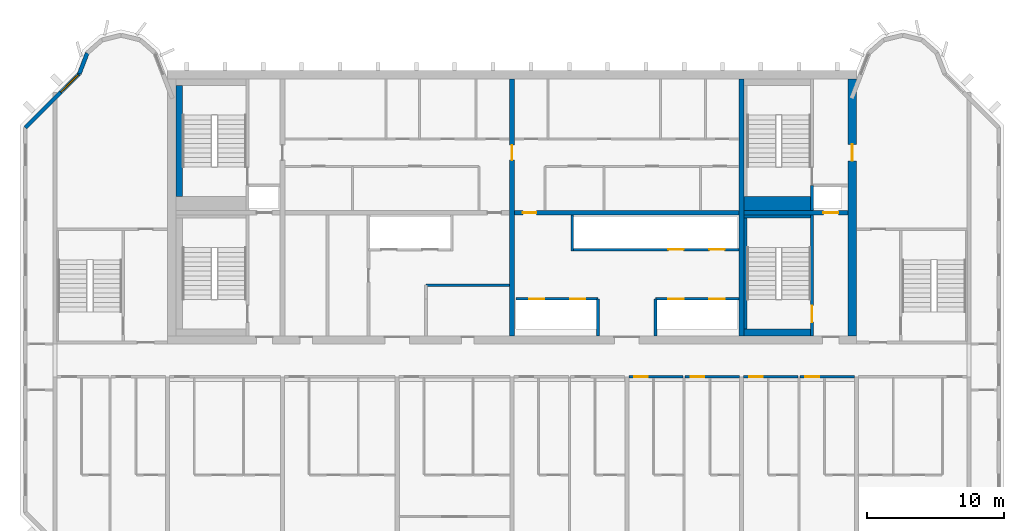
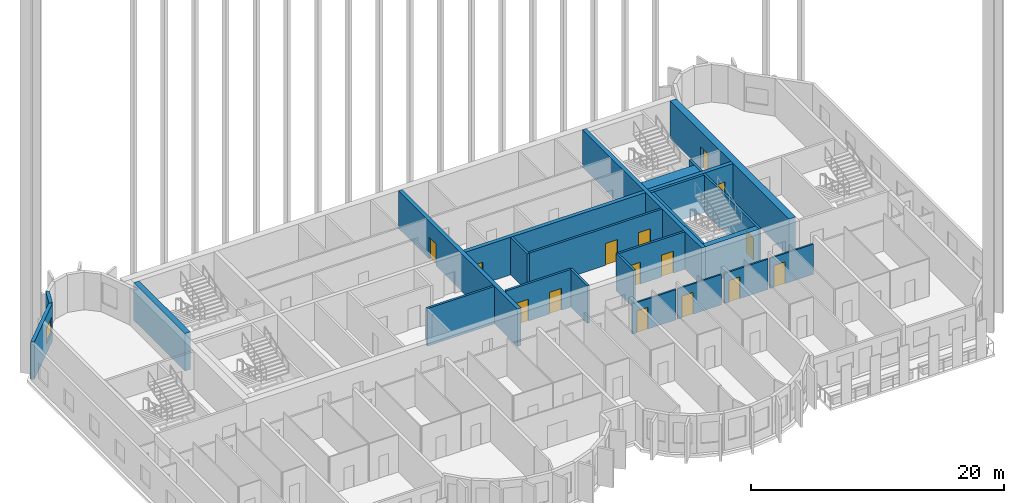
# One storey, part 6 of 13: 25 walls, 15 doors, 1 window, 16 openings.
"""IFC4 building model written with IfcOpenShell, lengths in metres."""

from ifc_helpers import new_model, si_unit, direction, frame, frame_2d, origin, place, context, subcontext, project, spatial, rectangle, extrude, source, transform, mapped, material, layer, layer_set, type_object, element, fill, save


model = new_model("IFC4")

# Units and contexts
model_context = context("Model", 3, precision=1e-05, world=origin(), true_north=direction((0.0, 1.0)))
body_context = subcontext(model_context, "Body", "Model", "MODEL_VIEW")
ifc_project = project(units=[si_unit("LENGTHUNIT", "METRE"), si_unit("AREAUNIT", "SQUARE_METRE"), si_unit("VOLUMEUNIT", "CUBIC_METRE"), si_unit("PLANEANGLEUNIT", "RADIAN"), si_unit("MASSUNIT", "GRAM", prefix="KILO")], contexts=[model_context])

# Site, building, storey
site_placement = place(None, origin())
site = spatial("IfcSite", under=ifc_project, at=site_placement, CompositionType="ELEMENT")
building_placement = place(site_placement, origin())
building = spatial("IfcBuilding", under=site, at=building_placement, Name="Vanashikhar Sky Hotel", CompositionType="ELEMENT")
storey_placement = place(building_placement, frame((0.0, 0.0, 214.0)))
storey = spatial("IfcBuildingStorey", under=building, at=storey_placement, Name="L51", CompositionType="ELEMENT", Elevation=214.0)

# Wall, opening, door
ifc_material_1 = material(Name="Concrete M60", Category="concrete")
ifc_layer_1 = layer(ifc_material_1, 0.60009765625)
ifc_layer_set_1 = layer_set([ifc_layer_1], Name="RC core shell wall 600 Concrete M60")
wall_type_1 = type_object("IfcWallType", Name="RC core shell wall 600 Concrete M60", PredefinedType="SHEAR", material=ifc_layer_set_1)
shared_shape_1 = source(origin(), body_context, "Body", "SweptSolid", [
    extrude(rectangle(XDim=18.7998046875, YDim=0.60009765625, at=frame_2d((9.39990234375, 0.0))), origin(), (0.0, 0.0, 1.0), 3.6201171875),
])
wall_1_placement = place(storey_placement, frame((75.300048828125, 22.60009765625, 0.0), z_axis=(0.0, 0.0, 1.0), x_axis=(0.0, 1.0, 0.0)))
wall_1 = element("IfcWall", 1, at=wall_1_placement, inside=storey, type_object=wall_type_1, Name="KW-L51-KE", PredefinedType="SHEAR", context=body_context, shape_type="MappedRepresentation", body=[
    mapped(shared_shape_1, transform((0.0, 0.0, 0.0), scale=1.0)),
])
shared_shape_2 = source(origin(), body_context, "Body", "SweptSolid", [
    extrude(rectangle(XDim=1.199951171875, YDim=2.10009765625, at=frame_2d((0.60009765625, 1.050048828125))), frame((0.0, 0.31005859375, 0.0), z_axis=(0.0, -1.0, 0.0), x_axis=(1.0, 0.0, 0.0)), (0.0, 0.0, 1.0), 0.6201171875),
])
opening_1_placement = place(wall_1_placement, frame((12.800048828125, 0.0, 0.0)))
opening_1 = element("IfcOpeningElement", 2, at=opening_1_placement, cuts=wall_1, Name="Opening DC-4-D", PredefinedType="OPENING", context=body_context, shape_type="MappedRepresentation", body=[
    mapped(shared_shape_2, transform((0.0, 0.0, 0.0), scale=1.0)),
])
ifc_material_2 = material(Name="Steel", Category="steel")
door_type_1 = type_object("IfcDoorType", Name="Service door 1200 FD120", OperationType="NOTDEFINED", PredefinedType="DOOR", material=ifc_material_2)
shared_shape_3 = source(origin(), body_context, "Body", "SweptSolid", [
    extrude(rectangle(XDim=1.199951171875, YDim=2.10009765625, at=frame_2d((0.60009765625, 1.050048828125))), frame((0.0, 0.02490234375, 0.0), z_axis=(0.0, -1.0, 0.0), x_axis=(1.0, 0.0, 0.0)), (0.0, 0.0, 1.0), 0.050048828125),
])
door_1_placement = place(opening_1_placement, origin())
door_1 = element("IfcDoor", 3, at=door_1_placement, inside=storey, type_object=door_type_1, Name="Service door 1200 FD120", OperationType="SINGLE_SWING_RIGHT", OverallHeight=2.10009765625, OverallWidth=1.199951171875, PredefinedType="DOOR", context=body_context, shape_type="MappedRepresentation", body=[
    mapped(shared_shape_3, transform((0.0, 0.0, 0.0), scale=1.0)),
])
fill(opening_1, door_1)

ifc_layer_2 = layer(ifc_material_1, 0.35009765625)
ifc_layer_set_2 = layer_set([ifc_layer_2], Name="RC core inner wall 350 Concrete M60")
wall_type_2 = type_object("IfcWallType", Name="RC core inner wall 350 Concrete M60", PredefinedType="SHEAR", material=ifc_layer_set_2)
shared_shape_4 = source(origin(), body_context, "Body", "SweptSolid", [
    extrude(rectangle(XDim=18.7998046875, YDim=0.35009765625, at=frame_2d((9.39990234375, 0.0))), origin(), (0.0, 0.0, 1.0), 3.6201171875),
])
wall_2_placement = place(storey_placement, frame((50.39990234375, 22.60009765625, 0.0), z_axis=(0.0, 0.0, 1.0), x_axis=(0.0, 1.0, 0.0)))
wall_2 = element("IfcWall", 4, at=wall_2_placement, inside=storey, type_object=wall_type_2, Name="KW-L51-KX2", PredefinedType="SHEAR", context=body_context, shape_type="MappedRepresentation", body=[
    mapped(shared_shape_4, transform((0.0, 0.0, 0.0), scale=1.0)),
])
shared_shape_5 = source(origin(), body_context, "Body", "SweptSolid", [
    extrude(rectangle(XDim=1.10009765625, YDim=2.10009765625, at=frame_2d((0.550048828125, 1.050048828125))), frame((0.0, 0.18505859375, 0.0), z_axis=(0.0, -1.0, 0.0), x_axis=(1.0, 0.0, 0.0)), (0.0, 0.0, 1.0), 0.3701171875),
])
opening_2_placement = place(wall_2_placement, frame((12.85009765625, 0.0, 0.0)))
opening_2 = element("IfcOpeningElement", 5, at=opening_2_placement, cuts=wall_2, Name="Opening DC-4-C", PredefinedType="OPENING", context=body_context, shape_type="MappedRepresentation", body=[
    mapped(shared_shape_5, transform((0.0, 0.0, 0.0), scale=1.0)),
])
door_type_2 = type_object("IfcDoorType", Name="Service door 1100 FD60", OperationType="NOTDEFINED", PredefinedType="DOOR", material=ifc_material_2)
shared_shape_6 = source(origin(), body_context, "Body", "SweptSolid", [
    extrude(rectangle(XDim=1.10009765625, YDim=2.10009765625, at=frame_2d((0.550048828125, 1.050048828125))), frame((0.0, 0.02490234375, 0.0), z_axis=(0.0, -1.0, 0.0), x_axis=(1.0, 0.0, 0.0)), (0.0, 0.0, 1.0), 0.050048828125),
])
door_2_placement = place(opening_2_placement, origin())
door_2 = element("IfcDoor", 6, at=door_2_placement, inside=storey, type_object=door_type_2, Name="Service door 1100 FD60", OperationType="SINGLE_SWING_LEFT", OverallHeight=2.10009765625, OverallWidth=1.10009765625, PredefinedType="DOOR", context=body_context, shape_type="MappedRepresentation", body=[
    mapped(shared_shape_6, transform((0.0, 0.0, 0.0), scale=1.0)),
])
fill(opening_2, door_2)

# Wall
wall_3_placement = place(storey_placement, frame((67.199951171875, 22.60009765625, 0.0), z_axis=(0.0, 0.0, 1.0), x_axis=(0.0, 1.0, 0.0)))
element("IfcWall", 7, at=wall_3_placement, inside=storey, type_object=wall_type_2, Name="KW-L51-KX3", PredefinedType="SHEAR", context=body_context, shape_type="MappedRepresentation", body=[
    mapped(shared_shape_4, transform((0.0, 0.0, 0.0), scale=1.0)),
])

# Wall, opening, door
shared_shape_7 = source(origin(), body_context, "Body", "SweptSolid", [
    extrude(rectangle(XDim=7.625, YDim=0.35009765625, at=frame_2d((3.8125, 0.0))), origin(), (0.0, 0.0, 1.0), 3.6201171875),
])
wall_4_placement = place(storey_placement, frame((67.375, 31.60009765625, 0.0), z_axis=(0.0, 0.0, 1.0), x_axis=(1.0, 0.0, 0.0)))
wall_4 = element("IfcWall", 8, at=wall_4_placement, inside=storey, type_object=wall_type_2, Name="KW-L51-KY4", PredefinedType="SHEAR", context=body_context, shape_type="MappedRepresentation", body=[
    mapped(shared_shape_7, transform((0.0, 0.0, 0.0), scale=1.0)),
])
opening_3_placement = place(wall_4_placement, frame((5.800048828125, 0.0, 0.0)))
opening_3 = element("IfcOpeningElement", 9, at=opening_3_placement, cuts=wall_4, Name="Opening LD", PredefinedType="OPENING", context=body_context, shape_type="MappedRepresentation", body=[
    mapped(shared_shape_5, transform((0.0, 0.0, 0.0), scale=1.0)),
])
ifc_material_3 = material(Name="Stainless steel", Category="steel")
door_type_3 = type_object("IfcDoorType", Name="Lift landing door 1100", OperationType="NOTDEFINED", PredefinedType="DOOR", material=ifc_material_3)
door_3_placement = place(opening_3_placement, origin())
door_3 = element("IfcDoor", 10, at=door_3_placement, inside=storey, type_object=door_type_3, Name="Lift landing door 1100", OperationType="SLIDING_TO_LEFT", OverallHeight=2.10009765625, OverallWidth=1.10009765625, PredefinedType="DOOR", context=body_context, shape_type="MappedRepresentation", body=[
    mapped(shared_shape_6, transform((0.0, 0.0, 0.0), scale=1.0)),
])
fill(opening_3, door_3)

shared_shape_8 = source(origin(), body_context, "Body", "SweptSolid", [
    extrude(rectangle(XDim=16.449951171875, YDim=0.35009765625, at=frame_2d((8.22509765625, 0.0))), origin(), (0.0, 0.0, 1.0), 3.6201171875),
])
wall_5_placement = place(storey_placement, frame((50.574951171875, 31.60009765625, 0.0), z_axis=(0.0, 0.0, 1.0), x_axis=(1.0, 0.0, 0.0)))
wall_5 = element("IfcWall", 11, at=wall_5_placement, inside=storey, type_object=wall_type_2, Name="KW-L51-KY3", PredefinedType="SHEAR", context=body_context, shape_type="MappedRepresentation", body=[
    mapped(shared_shape_8, transform((0.0, 0.0, 0.0), scale=1.0)),
])
shared_shape_9 = source(origin(), body_context, "Body", "SweptSolid", [
    extrude(rectangle(XDim=1.0, YDim=2.10009765625, at=frame_2d((0.5, 1.050048828125))), frame((0.0, 0.18505859375, 0.0), z_axis=(0.0, -1.0, 0.0), x_axis=(1.0, 0.0, 0.0)), (0.0, 0.0, 1.0), 0.3701171875),
])
opening_4_placement = place(wall_5_placement, frame((0.613037109375, 0.0, 0.0)))
opening_4 = element("IfcOpeningElement", 12, at=opening_4_placement, cuts=wall_5, Name="Opening DC-4", PredefinedType="OPENING", context=body_context, shape_type="MappedRepresentation", body=[
    mapped(shared_shape_9, transform((0.0, 0.0, 0.0), scale=1.0)),
])
door_type_4 = type_object("IfcDoorType", Name="Service door 1000 FD60", OperationType="NOTDEFINED", PredefinedType="DOOR", material=ifc_material_2)
shared_shape_10 = source(origin(), body_context, "Body", "SweptSolid", [
    extrude(rectangle(XDim=1.0, YDim=2.10009765625, at=frame_2d((0.5, 1.050048828125))), frame((0.0, 0.02490234375, 0.0), z_axis=(0.0, -1.0, 0.0), x_axis=(1.0, 0.0, 0.0)), (0.0, 0.0, 1.0), 0.050048828125),
])
door_4_placement = place(opening_4_placement, origin())
door_4 = element("IfcDoor", 13, at=door_4_placement, inside=storey, type_object=door_type_4, Name="Service door 1000 FD60", OperationType="SINGLE_SWING_RIGHT", OverallHeight=2.10009765625, OverallWidth=1.0, PredefinedType="DOOR", context=body_context, shape_type="MappedRepresentation", body=[
    mapped(shared_shape_10, transform((0.0, 0.0, 0.0), scale=1.0)),
])
fill(opening_4, door_4)

# Wall, opening, window
ifc_material_4 = material(Name="Concrete M50", Category="concrete")
ifc_layer_3 = layer(ifc_material_4, 0.300048828125)
ifc_layer_set_3 = layer_set([ifc_layer_3], Name="Lobe wall 300")
wall_type_3 = type_object("IfcWallType", Name="Lobe wall 300", PredefinedType="SOLIDWALL", material=ifc_layer_set_3)
shared_shape_11 = source(origin(), body_context, "Body", "SweptSolid", [
    extrude(rectangle(XDim=5.576416015625, YDim=0.300048828125, at=frame_2d((2.7880859375, 0.0))), origin(), (0.0, 0.0, 1.0), 3.6201171875),
])
wall_6_placement = place(storey_placement, frame((18.7431640625, 41.77734375, 0.0), z_axis=(0.0, 0.0, 1.0), x_axis=(-0.707106781187, -0.707106781187, 0.0)))
wall_6 = element("IfcWall", 14, at=wall_6_placement, inside=storey, type_object=wall_type_3, Name="Corner wall", PredefinedType="SOLIDWALL", context=body_context, shape_type="MappedRepresentation", body=[
    mapped(shared_shape_11, transform((0.0, 0.0, 0.0), scale=1.0)),
])
shared_shape_12 = source(origin(), body_context, "Body", "SweptSolid", [
    extrude(rectangle(XDim=1.800048828125, YDim=1.5, at=frame_2d((0.89990234375, 0.75))), frame((0.0, 0.16015625, 0.0), z_axis=(0.0, -1.0, 0.0), x_axis=(1.0, 0.0, 0.0)), (0.0, 0.0, 1.0), 0.320068359375),
])
opening_5_placement = place(wall_6_placement, frame((0.117919921875, 0.0, 0.89990234375)))
opening_5 = element("IfcOpeningElement", 15, at=opening_5_placement, cuts=wall_6, Name="Opening WN-4", PredefinedType="OPENING", context=body_context, shape_type="MappedRepresentation", body=[
    mapped(shared_shape_12, transform((0.0, 0.0, 0.0), scale=1.0)),
])
ifc_material_5 = material(Name="Glass", Category="glass")
window_type = type_object("IfcWindowType", Name="Corner window 1800 x 1500", PartitioningType="SINGLE_PANEL", PredefinedType="WINDOW", material=ifc_material_5)
shared_shape_13 = source(origin(), body_context, "Body", "SweptSolid", [
    extrude(rectangle(XDim=1.800048828125, YDim=1.5, at=frame_2d((0.89990234375, 0.75))), frame((0.0, 0.030029296875, 0.0), z_axis=(0.0, -1.0, 0.0), x_axis=(1.0, 0.0, 0.0)), (0.0, 0.0, 1.0), 0.06005859375),
])
window_placement = place(opening_5_placement, origin())
window = element("IfcWindow", 16, at=window_placement, inside=storey, type_object=window_type, Name="Window WN-4", OverallHeight=1.5, OverallWidth=1.800048828125, PartitioningType="SINGLE_PANEL", PredefinedType="WINDOW", context=body_context, shape_type="MappedRepresentation", body=[
    mapped(shared_shape_13, transform((0.0, 0.0, 0.0), scale=1.0)),
])
fill(opening_5, window)

# Wall
shared_shape_14 = source(origin(), body_context, "Body", "SweptSolid", [
    extrude(rectangle(XDim=1.6220703125, YDim=0.300048828125, at=frame_2d((0.81103515625, 0.0))), origin(), (0.0, 0.0, 1.0), 3.6201171875),
])
wall_7_placement = place(storey_placement, frame((19.323486328125, 43.2919921875, 0.0), z_axis=(0.0, 0.0, 1.0), x_axis=(-0.357778527068, -0.933806471154, 0.0)))
element("IfcWall", 17, at=wall_7_placement, inside=storey, type_object=wall_type_3, Name="Lobe wall", PredefinedType="SOLIDWALL", context=body_context, shape_type="MappedRepresentation", body=[
    mapped(shared_shape_14, transform((0.0, 0.0, 0.0), scale=1.0)),
])

# Wall, openings, doors
ifc_material_6 = material(Name="Concrete M40", Category="concrete")
ifc_layer_4 = layer(ifc_material_6, 0.199951171875)
ifc_layer_set_4 = layer_set([ifc_layer_4], Name="Shaft wall 200")
wall_type_4 = type_object("IfcWallType", Name="Shaft wall 200", PredefinedType="SOLIDWALL", material=ifc_layer_set_4)
shared_shape_15 = source(origin(), body_context, "Body", "SweptSolid", [
    extrude(rectangle(XDim=6.0, YDim=0.199951171875, at=frame_2d((3.0, 0.0))), origin(), (0.0, 0.0, 1.0), 3.6201171875),
])
wall_8_placement = place(storey_placement, frame((56.699951171875, 25.300048828125, 0.0), z_axis=(0.0, 0.0, 1.0), x_axis=(-1.0, 0.0, 0.0)))
wall_8 = element("IfcWall", 18, at=wall_8_placement, inside=storey, type_object=wall_type_4, Name="Shaft wall 200", PredefinedType="SOLIDWALL", context=body_context, shape_type="MappedRepresentation", body=[
    mapped(shared_shape_15, transform((0.0, 0.0, 0.0), scale=1.0)),
])
shared_shape_16 = source(origin(), body_context, "Body", "SweptSolid", [
    extrude(rectangle(XDim=1.10009765625, YDim=2.10009765625, at=frame_2d((0.550048828125, 1.050048828125))), frame((0.0, 0.10986328125, 0.0), z_axis=(0.0, -1.0, 0.0), x_axis=(1.0, 0.0, 0.0)), (0.0, 0.0, 1.0), 0.219970703125),
])
opening_6_placement = place(wall_8_placement, frame((0.949951171875, 0.0, 0.0)))
opening_6 = element("IfcOpeningElement", 19, at=opening_6_placement, cuts=wall_8, Name="Opening LD", PredefinedType="OPENING", context=body_context, shape_type="MappedRepresentation", body=[
    mapped(shared_shape_16, transform((0.0, 0.0, 0.0), scale=1.0)),
])
opening_7_placement = place(wall_8_placement, frame((3.949951171875, 0.0, 0.0)))
opening_7 = element("IfcOpeningElement", 20, at=opening_7_placement, cuts=wall_8, Name="Opening LD", PredefinedType="OPENING", context=body_context, shape_type="MappedRepresentation", body=[
    mapped(shared_shape_16, transform((0.0, 0.0, 0.0), scale=1.0)),
])
door_5_placement = place(opening_6_placement, origin())
door_5 = element("IfcDoor", 21, at=door_5_placement, inside=storey, type_object=door_type_3, Name="Lift landing door 1100", OperationType="SLIDING_TO_RIGHT", OverallHeight=2.10009765625, OverallWidth=1.10009765625, PredefinedType="DOOR", context=body_context, shape_type="MappedRepresentation", body=[
    mapped(shared_shape_6, transform((0.0, 0.0, 0.0), scale=1.0)),
])
fill(opening_6, door_5)
door_6_placement = place(opening_7_placement, origin())
door_6 = element("IfcDoor", 22, at=door_6_placement, inside=storey, type_object=door_type_3, Name="Lift landing door 1100", OperationType="SLIDING_TO_LEFT", OverallHeight=2.10009765625, OverallWidth=1.10009765625, PredefinedType="DOOR", context=body_context, shape_type="MappedRepresentation", body=[
    mapped(shared_shape_6, transform((0.0, 0.0, 0.0), scale=1.0)),
])
fill(opening_7, door_6)

# Walls
shared_shape_17 = source(origin(), body_context, "Body", "SweptSolid", [
    extrude(rectangle(XDim=2.699951171875, YDim=0.199951171875, at=frame_2d((1.35009765625, 0.0))), origin(), (0.0, 0.0, 1.0), 3.6201171875),
])
for number, where, z_axis, x_axis, name in (
    (23, (60.89990234375, 22.60009765625, 0.0), (0.0, 0.0, 1.0), (0.0, 1.0, 0.0), "Shaft wall 200"),
    (24, (56.699951171875, 22.60009765625, 0.0), (0.0, 0.0, 1.0), (0.0, 1.0, 0.0), "Shaft wall 200"),
):
    element("IfcWall", number, at=place(storey_placement, frame(where, z_axis=z_axis, x_axis=x_axis)), inside=storey, type_object=wall_type_4, Name=name, PredefinedType="SOLIDWALL", context=body_context, shape_type="MappedRepresentation", body=[
        mapped(shared_shape_17, transform((0.0, 0.0, 0.0), scale=1.0)),
    ])
shared_shape_18 = source(origin(), body_context, "Body", "SweptSolid", [
    extrude(rectangle(XDim=2.625, YDim=0.199951171875, at=frame_2d((1.3125, 0.0))), origin(), (0.0, 0.0, 1.0), 3.6201171875),
])
wall_9_placement = place(storey_placement, frame((54.800048828125, 28.800048828125, 0.0), z_axis=(0.0, 0.0, 1.0), x_axis=(0.0, 1.0, 0.0)))
element("IfcWall", 25, at=wall_9_placement, inside=storey, type_object=wall_type_4, Name="Shaft wall 200", PredefinedType="SOLIDWALL", context=body_context, shape_type="MappedRepresentation", body=[
    mapped(shared_shape_18, transform((0.0, 0.0, 0.0), scale=1.0)),
])
ifc_material_7 = material(Name="Gypsum board partition")
ifc_layer_5 = layer(ifc_material_7, 0.14990234375)
ifc_layer_set_5 = layer_set([ifc_layer_5], Name="Service partition 150")
wall_type_5 = type_object("IfcWallType", Name="Service partition 150", PredefinedType="PARTITIONING", material=ifc_layer_set_5)
shared_shape_19 = source(origin(), body_context, "Body", "SweptSolid", [
    extrude(rectangle(XDim=6.125, YDim=0.199951171875, at=frame_2d((3.0625, 0.0))), origin(), (0.0, 0.0, 1.0), 3.6201171875),
])
wall_10_placement = place(storey_placement, frame((44.10009765625, 26.300048828125, 0.0), z_axis=(0.0, 0.0, 1.0), x_axis=(1.0, 0.0, 0.0)))
element("IfcWall", 26, at=wall_10_placement, inside=storey, type_object=wall_type_5, Name="Service partition 150", PredefinedType="PARTITIONING", context=body_context, shape_type="MappedRepresentation", body=[
    mapped(shared_shape_19, transform((0.0, 0.0, 0.0), scale=1.0)),
])

# Wall, openings, doors
wall_11_placement = place(storey_placement, frame((67.02490234375, 25.300048828125, 0.0), z_axis=(0.0, 0.0, 1.0), x_axis=(-1.0, 0.0, 0.0)))
wall_11 = element("IfcWall", 27, at=wall_11_placement, inside=storey, type_object=wall_type_4, Name="Shaft wall 200", PredefinedType="SOLIDWALL", context=body_context, shape_type="MappedRepresentation", body=[
    mapped(shared_shape_19, transform((0.0, 0.0, 0.0), scale=1.0)),
])
opening_8_placement = place(wall_11_placement, frame((1.074951171875, 0.0, 0.0)))
opening_8 = element("IfcOpeningElement", 28, at=opening_8_placement, cuts=wall_11, Name="Opening LD", PredefinedType="OPENING", context=body_context, shape_type="MappedRepresentation", body=[
    mapped(shared_shape_16, transform((0.0, 0.0, 0.0), scale=1.0)),
])
opening_9_placement = place(wall_11_placement, frame((4.074951171875, 0.0, 0.0)))
opening_9 = element("IfcOpeningElement", 29, at=opening_9_placement, cuts=wall_11, Name="Opening LD", PredefinedType="OPENING", context=body_context, shape_type="MappedRepresentation", body=[
    mapped(shared_shape_16, transform((0.0, 0.0, 0.0), scale=1.0)),
])
door_7_placement = place(opening_8_placement, origin())
door_7 = element("IfcDoor", 30, at=door_7_placement, inside=storey, type_object=door_type_3, Name="Lift landing door 1100", OperationType="SLIDING_TO_RIGHT", OverallHeight=2.10009765625, OverallWidth=1.10009765625, PredefinedType="DOOR", context=body_context, shape_type="MappedRepresentation", body=[
    mapped(shared_shape_6, transform((0.0, 0.0, 0.0), scale=1.0)),
])
fill(opening_8, door_7)
door_8_placement = place(opening_9_placement, origin())
door_8 = element("IfcDoor", 31, at=door_8_placement, inside=storey, type_object=door_type_3, Name="Lift landing door 1100", OperationType="SLIDING_TO_LEFT", OverallHeight=2.10009765625, OverallWidth=1.10009765625, PredefinedType="DOOR", context=body_context, shape_type="MappedRepresentation", body=[
    mapped(shared_shape_6, transform((0.0, 0.0, 0.0), scale=1.0)),
])
fill(opening_9, door_8)

shared_shape_20 = source(origin(), body_context, "Body", "SweptSolid", [
    extrude(rectangle(XDim=12.125, YDim=0.199951171875, at=frame_2d((6.0625, 0.0))), origin(), (0.0, 0.0, 1.0), 3.6201171875),
])
wall_12_placement = place(storey_placement, frame((67.02490234375, 28.89990234375, 0.0), z_axis=(0.0, 0.0, 1.0), x_axis=(-1.0, 0.0, 0.0)))
wall_12 = element("IfcWall", 32, at=wall_12_placement, inside=storey, type_object=wall_type_4, Name="Shaft wall 200", PredefinedType="SOLIDWALL", context=body_context, shape_type="MappedRepresentation", body=[
    mapped(shared_shape_20, transform((0.0, 0.0, 0.0), scale=1.0)),
])
opening_10_placement = place(wall_12_placement, frame((1.074951171875, 0.0, 0.0)))
opening_10 = element("IfcOpeningElement", 33, at=opening_10_placement, cuts=wall_12, Name="Opening LD", PredefinedType="OPENING", context=body_context, shape_type="MappedRepresentation", body=[
    mapped(shared_shape_16, transform((0.0, 0.0, 0.0), scale=1.0)),
])
opening_11_placement = place(wall_12_placement, frame((4.074951171875, 0.0, 0.0)))
opening_11 = element("IfcOpeningElement", 34, at=opening_11_placement, cuts=wall_12, Name="Opening LD", PredefinedType="OPENING", context=body_context, shape_type="MappedRepresentation", body=[
    mapped(shared_shape_16, transform((0.0, 0.0, 0.0), scale=1.0)),
])
door_9_placement = place(opening_10_placement, origin())
door_9 = element("IfcDoor", 35, at=door_9_placement, inside=storey, type_object=door_type_3, Name="Lift landing door 1100", OperationType="SLIDING_TO_RIGHT", OverallHeight=2.10009765625, OverallWidth=1.10009765625, PredefinedType="DOOR", context=body_context, shape_type="MappedRepresentation", body=[
    mapped(shared_shape_6, transform((0.0, 0.0, 0.0), scale=1.0)),
])
fill(opening_10, door_9)
door_10_placement = place(opening_11_placement, origin())
door_10 = element("IfcDoor", 36, at=door_10_placement, inside=storey, type_object=door_type_3, Name="Lift landing door 1100", OperationType="SLIDING_TO_LEFT", OverallHeight=2.10009765625, OverallWidth=1.10009765625, PredefinedType="DOOR", context=body_context, shape_type="MappedRepresentation", body=[
    mapped(shared_shape_6, transform((0.0, 0.0, 0.0), scale=1.0)),
])
fill(opening_11, door_10)

# Wall, opening, door
ifc_layer_6 = layer(ifc_material_4, 0.199951171875)
ifc_layer_set_6 = layer_set([ifc_layer_6], Name="Stair wall 200")
wall_type_6 = type_object("IfcWallType", Name="Stair wall 200", PredefinedType="SOLIDWALL", material=ifc_layer_set_6)
shared_shape_21 = source(origin(), body_context, "Body", "SweptSolid", [
    extrude(rectangle(XDim=8.824951171875, YDim=0.199951171875, at=frame_2d((4.41259765625, 0.0))), origin(), (0.0, 0.0, 1.0), 3.6201171875),
])
wall_13_placement = place(storey_placement, frame((72.35009765625, 22.60009765625, 0.0), z_axis=(0.0, 0.0, 1.0), x_axis=(0.0, 1.0, 0.0)))
wall_13 = element("IfcWall", 37, at=wall_13_placement, inside=storey, type_object=wall_type_6, Name="Stair wall 200", PredefinedType="SOLIDWALL", context=body_context, shape_type="MappedRepresentation", body=[
    mapped(shared_shape_21, transform((0.0, 0.0, 0.0), scale=1.0)),
])
shared_shape_22 = source(origin(), body_context, "Body", "SweptSolid", [
    extrude(rectangle(XDim=1.199951171875, YDim=2.10009765625, at=frame_2d((0.60009765625, 1.050048828125))), frame((0.0, 0.10986328125, 0.0), z_axis=(0.0, -1.0, 0.0), x_axis=(1.0, 0.0, 0.0)), (0.0, 0.0, 1.0), 0.219970703125),
])
opening_12_placement = place(wall_13_placement, frame((1.0, 0.0, 0.0)))
opening_12 = element("IfcOpeningElement", 38, at=opening_12_placement, cuts=wall_13, Name="Opening DC-1", PredefinedType="OPENING", context=body_context, shape_type="MappedRepresentation", body=[
    mapped(shared_shape_22, transform((0.0, 0.0, 0.0), scale=1.0)),
])
door_type_5 = type_object("IfcDoorType", Name="Stair door 1200 FD120", OperationType="NOTDEFINED", PredefinedType="DOOR", material=ifc_material_2)
door_11_placement = place(opening_12_placement, origin())
door_11 = element("IfcDoor", 39, at=door_11_placement, inside=storey, type_object=door_type_5, Name="Stair door 1200 FD120", OperationType="SINGLE_SWING_LEFT", OverallHeight=2.10009765625, OverallWidth=1.199951171875, PredefinedType="DOOR", context=body_context, shape_type="MappedRepresentation", body=[
    mapped(shared_shape_3, transform((0.0, 0.0, 0.0), scale=1.0)),
])
fill(opening_12, door_11)

# Walls
shared_shape_23 = source(origin(), body_context, "Body", "SweptSolid", [
    extrude(rectangle(XDim=1.8251953125, YDim=0.199951171875, at=frame_2d((0.91259765625, 0.0))), origin(), (0.0, 0.0, 1.0), 3.6201171875),
])
wall_14_placement = place(storey_placement, frame((72.35009765625, 31.77490234375, 0.0), z_axis=(0.0, 0.0, 1.0), x_axis=(0.0, 1.0, 0.0)))
element("IfcWall", 40, at=wall_14_placement, inside=storey, type_object=wall_type_4, Name="Shaft wall 200", PredefinedType="SOLIDWALL", context=body_context, shape_type="MappedRepresentation", body=[
    mapped(shared_shape_23, transform((0.0, 0.0, 0.0), scale=1.0)),
])
ifc_layer_7 = layer(ifc_material_4, 0.5)
ifc_layer_set_7 = layer_set([ifc_layer_7], Name="Stair infill wall 500")
wall_type_7 = type_object("IfcWallType", Name="Stair infill wall 500", PredefinedType="SOLIDWALL", material=ifc_layer_set_7)
shared_shape_24 = source(origin(), body_context, "Body", "SweptSolid", [
    extrude(rectangle(XDim=8.099853515625, YDim=0.5, at=frame_2d((4.0498046875, 0.0))), origin(), (0.0, 0.0, 1.0), 3.6201171875),
])
wall_15_placement = place(storey_placement, frame((26.050048828125, 32.800048828125, 0.0), z_axis=(0.0, 0.0, 1.0), x_axis=(0.0, 1.0, 0.0)))
element("IfcWall", 41, at=wall_15_placement, inside=storey, type_object=wall_type_7, Name="Stair infill wall 500", PredefinedType="SOLIDWALL", context=body_context, shape_type="MappedRepresentation", body=[
    mapped(shared_shape_24, transform((0.0, 0.0, 0.0), scale=1.0)),
])
shared_shape_25 = source(origin(), body_context, "Body", "SweptSolid", [
    extrude(rectangle(XDim=4.875, YDim=0.5, at=frame_2d((2.4375, 0.0))), origin(), (0.0, 0.0, 1.0), 3.6201171875),
])
wall_16_placement = place(storey_placement, frame((67.375, 22.85009765625, 0.0), z_axis=(0.0, 0.0, 1.0), x_axis=(1.0, 0.0, 0.0)))
element("IfcWall", 42, at=wall_16_placement, inside=storey, type_object=wall_type_7, Name="Stair infill wall 500", PredefinedType="SOLIDWALL", context=body_context, shape_type="MappedRepresentation", body=[
    mapped(shared_shape_25, transform((0.0, 0.0, 0.0), scale=1.0)),
])
ifc_layer_8 = layer(ifc_material_4, 0.22509765625)
ifc_layer_set_8 = layer_set([ifc_layer_8], Name="Stair infill wall 225")
wall_type_8 = type_object("IfcWallType", Name="Stair infill wall 225", PredefinedType="SOLIDWALL", material=ifc_layer_set_8)
shared_shape_26 = source(origin(), body_context, "Body", "SweptSolid", [
    extrude(rectangle(XDim=4.875, YDim=0.22509765625, at=frame_2d((2.4375, 0.0))), origin(), (0.0, 0.0, 1.0), 3.6201171875),
])
wall_17_placement = place(storey_placement, frame((67.375, 31.31201171875, 0.0), z_axis=(0.0, 0.0, 1.0), x_axis=(1.0, 0.0, 0.0)))
element("IfcWall", 43, at=wall_17_placement, inside=storey, type_object=wall_type_8, Name="Stair infill wall 225", PredefinedType="SOLIDWALL", context=body_context, shape_type="MappedRepresentation", body=[
    mapped(shared_shape_26, transform((0.0, 0.0, 0.0), scale=1.0)),
])
shared_shape_27 = source(origin(), body_context, "Body", "SweptSolid", [
    extrude(rectangle(XDim=8.099853515625, YDim=0.22509765625, at=frame_2d((4.0498046875, 0.0))), origin(), (0.0, 0.0, 1.0), 3.6201171875),
])
wall_18_placement = place(storey_placement, frame((67.487060546875, 23.10009765625, 0.0), z_axis=(0.0, 0.0, 1.0), x_axis=(0.0, 1.0, 0.0)))
element("IfcWall", 44, at=wall_18_placement, inside=storey, type_object=wall_type_8, Name="Stair infill wall 225", PredefinedType="SOLIDWALL", context=body_context, shape_type="MappedRepresentation", body=[
    mapped(shared_shape_27, transform((0.0, 0.0, 0.0), scale=1.0)),
])
ifc_layer_9 = layer(ifc_material_4, 1.02490234375)
ifc_layer_set_9 = layer_set([ifc_layer_9], Name="Stair infill wall 1025")
wall_type_9 = type_object("IfcWallType", Name="Stair infill wall 1025", PredefinedType="SOLIDWALL", material=ifc_layer_set_9)
shared_shape_28 = source(origin(), body_context, "Body", "SweptSolid", [
    extrude(rectangle(XDim=4.875, YDim=1.02490234375, at=frame_2d((2.4375, 0.0))), origin(), (0.0, 0.0, 1.0), 3.6201171875),
])
wall_19_placement = place(storey_placement, frame((67.375, 32.287109375, 0.0), z_axis=(0.0, 0.0, 1.0), x_axis=(1.0, 0.0, 0.0)))
element("IfcWall", 45, at=wall_19_placement, inside=storey, type_object=wall_type_9, Name="Stair infill wall 1025", PredefinedType="SOLIDWALL", context=body_context, shape_type="MappedRepresentation", body=[
    mapped(shared_shape_28, transform((0.0, 0.0, 0.0), scale=1.0)),
])

# Wall, opening, door
ifc_material_8 = material(Name="Gypsum plasterboard partition")
ifc_layer_10 = layer(ifc_material_8, 0.14990234375)
ifc_layer_set_10 = layer_set([ifc_layer_10], Name="Corridor and demising partition 150")
wall_type_10 = type_object("IfcWallType", Name="Corridor and demising partition 150", PredefinedType="PARTITIONING", material=ifc_layer_set_10)
shared_shape_29 = source(origin(), body_context, "Body", "SweptSolid", [
    extrude(rectangle(XDim=3.97509765625, YDim=0.14990234375, at=frame_2d((1.987548828125, 0.0))), origin(), (0.0, 0.0, 1.0), 2.919921875),
])
wall_20_placement = place(storey_placement, frame((58.949951171875, 19.60009765625, 0.0), z_axis=(0.0, 0.0, 1.0), x_axis=(1.0, 0.0, 0.0)))
wall_20 = element("IfcWall", 46, at=wall_20_placement, inside=storey, type_object=wall_type_10, Name="W-L51-PW033", PredefinedType="PARTITIONING", context=body_context, shape_type="MappedRepresentation", body=[
    mapped(shared_shape_29, transform((0.0, 0.0, 0.0), scale=1.0)),
])
shared_shape_30 = source(origin(), body_context, "Body", "SweptSolid", [
    extrude(rectangle(XDim=1.0, YDim=2.10009765625, at=frame_2d((0.5, 1.050048828125))), frame((0.0, 0.0849609375, 0.0), z_axis=(0.0, -1.0, 0.0), x_axis=(1.0, 0.0, 0.0)), (0.0, 0.0, 1.0), 0.169921875),
])
opening_13_placement = place(wall_20_placement, frame((0.39990234375, 0.0, 0.0)))
opening_13 = element("IfcOpeningElement", 47, at=opening_13_placement, cuts=wall_20, Name="Opening D-01", PredefinedType="OPENING", context=body_context, shape_type="MappedRepresentation", body=[
    mapped(shared_shape_30, transform((0.0, 0.0, 0.0), scale=1.0)),
])
ifc_material_9 = material(Name="Timber fire door", Category="wood")
door_type_6 = type_object("IfcDoorType", Name="Guest entry door 1000 FD30S", OperationType="NOTDEFINED", PredefinedType="DOOR", material=ifc_material_9)
door_12_placement = place(opening_13_placement, origin())
door_12 = element("IfcDoor", 48, at=door_12_placement, inside=storey, type_object=door_type_6, Name="D-L51-020", OperationType="SINGLE_SWING_LEFT", OverallHeight=2.10009765625, OverallWidth=1.0, PredefinedType="DOOR", context=body_context, shape_type="MappedRepresentation", body=[
    mapped(shared_shape_10, transform((0.0, 0.0, 0.0), scale=1.0)),
])
fill(opening_13, door_12)

wall_21_placement = place(storey_placement, frame((63.074951171875, 19.60009765625, 0.0), z_axis=(0.0, 0.0, 1.0), x_axis=(1.0, 0.0, 0.0)))
wall_21 = element("IfcWall", 49, at=wall_21_placement, inside=storey, type_object=wall_type_10, Name="W-L51-PW036", PredefinedType="PARTITIONING", context=body_context, shape_type="MappedRepresentation", body=[
    mapped(shared_shape_29, transform((0.0, 0.0, 0.0), scale=1.0)),
])
opening_14_placement = place(wall_21_placement, frame((0.39990234375, 0.0, 0.0)))
opening_14 = element("IfcOpeningElement", 50, at=opening_14_placement, cuts=wall_21, Name="Opening D-01", PredefinedType="OPENING", context=body_context, shape_type="MappedRepresentation", body=[
    mapped(shared_shape_30, transform((0.0, 0.0, 0.0), scale=1.0)),
])
door_13_placement = place(opening_14_placement, origin())
door_13 = element("IfcDoor", 51, at=door_13_placement, inside=storey, type_object=door_type_6, Name="D-L51-022", OperationType="SINGLE_SWING_LEFT", OverallHeight=2.10009765625, OverallWidth=1.0, PredefinedType="DOOR", context=body_context, shape_type="MappedRepresentation", body=[
    mapped(shared_shape_10, transform((0.0, 0.0, 0.0), scale=1.0)),
])
fill(opening_14, door_13)

shared_shape_31 = source(origin(), body_context, "Body", "SweptSolid", [
    extrude(rectangle(XDim=3.974853515625, YDim=0.14990234375, at=frame_2d((1.9873046875, 0.0))), origin(), (0.0, 0.0, 1.0), 2.919921875),
])
wall_22_placement = place(storey_placement, frame((67.35009765625, 19.60009765625, 0.0), z_axis=(0.0, 0.0, 1.0), x_axis=(1.0, 0.0, 0.0)))
wall_22 = element("IfcWall", 52, at=wall_22_placement, inside=storey, type_object=wall_type_10, Name="W-L51-PW040", PredefinedType="PARTITIONING", context=body_context, shape_type="MappedRepresentation", body=[
    mapped(shared_shape_31, transform((0.0, 0.0, 0.0), scale=1.0)),
])
opening_15_placement = place(wall_22_placement, frame((0.39990234375, 0.0, 0.0)))
opening_15 = element("IfcOpeningElement", 53, at=opening_15_placement, cuts=wall_22, Name="Opening D-01", PredefinedType="OPENING", context=body_context, shape_type="MappedRepresentation", body=[
    mapped(shared_shape_30, transform((0.0, 0.0, 0.0), scale=1.0)),
])
door_14_placement = place(opening_15_placement, origin())
door_14 = element("IfcDoor", 54, at=door_14_placement, inside=storey, type_object=door_type_6, Name="D-L51-024", OperationType="SINGLE_SWING_LEFT", OverallHeight=2.10009765625, OverallWidth=1.0, PredefinedType="DOOR", context=body_context, shape_type="MappedRepresentation", body=[
    mapped(shared_shape_10, transform((0.0, 0.0, 0.0), scale=1.0)),
])
fill(opening_15, door_14)

wall_23_placement = place(storey_placement, frame((71.47509765625, 19.60009765625, 0.0), z_axis=(0.0, 0.0, 1.0), x_axis=(1.0, 0.0, 0.0)))
wall_23 = element("IfcWall", 55, at=wall_23_placement, inside=storey, type_object=wall_type_10, Name="W-L51-PW043", PredefinedType="PARTITIONING", context=body_context, shape_type="MappedRepresentation", body=[
    mapped(shared_shape_31, transform((0.0, 0.0, 0.0), scale=1.0)),
])
opening_16_placement = place(wall_23_placement, frame((0.39990234375, 0.0, 0.0)))
opening_16 = element("IfcOpeningElement", 56, at=opening_16_placement, cuts=wall_23, Name="Opening D-01", PredefinedType="OPENING", context=body_context, shape_type="MappedRepresentation", body=[
    mapped(shared_shape_30, transform((0.0, 0.0, 0.0), scale=1.0)),
])
door_15_placement = place(opening_16_placement, origin())
door_15 = element("IfcDoor", 57, at=door_15_placement, inside=storey, type_object=door_type_6, Name="D-L51-026", OperationType="SINGLE_SWING_LEFT", OverallHeight=2.10009765625, OverallWidth=1.0, PredefinedType="DOOR", context=body_context, shape_type="MappedRepresentation", body=[
    mapped(shared_shape_10, transform((0.0, 0.0, 0.0), scale=1.0)),
])
fill(opening_16, door_15)

save(model, "model.ifc")
